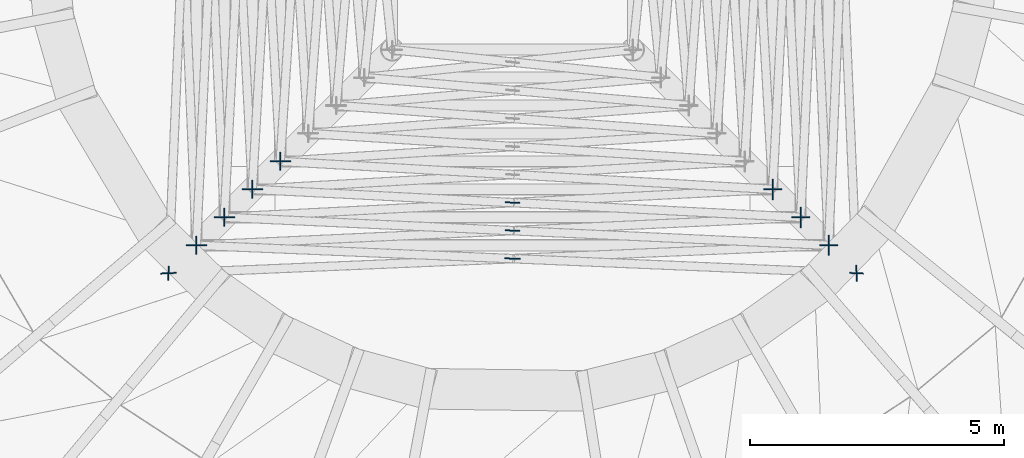
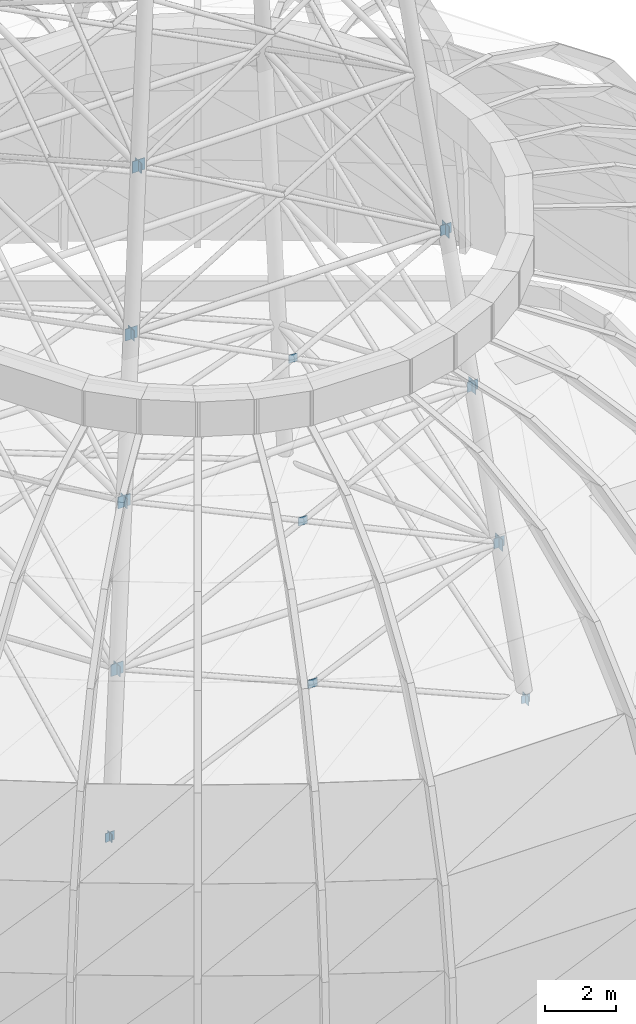
# One storey, part 7 of 27: 21 discrete accessories.
"""IFC4 building model written with IfcOpenShell, lengths in metres."""

from ifc_helpers import new_model, si_unit, direction, frame, origin, origin_2d, place, context, subcontext, project, spatial, rectangle, extrude, material, layer, layer_set, type_object, element, save


model = new_model("IFC4")

# Units and contexts
model_context = context("Model", 3, precision=1e-05, world=origin(), true_north=direction((0.0, 1.0)))
body_context = subcontext(model_context, "Body", "Model", "MODEL_VIEW")
ifc_project = project(units=[si_unit("LENGTHUNIT", "METRE"), si_unit("AREAUNIT", "SQUARE_METRE"), si_unit("VOLUMEUNIT", "CUBIC_METRE"), si_unit("PLANEANGLEUNIT", "RADIAN"), si_unit("MASSUNIT", "GRAM", prefix="KILO")], contexts=[model_context])

# Site, building, storey
site_placement = place(None, origin())
site = spatial("IfcSite", under=ifc_project, at=site_placement, CompositionType="ELEMENT")
building_placement = place(site_placement, origin())
building = spatial("IfcBuilding", under=site, at=building_placement, Name="Ayvan Gate Tower", CompositionType="ELEMENT")
storey_placement = place(building_placement, frame((0.0, 0.0, 267.699951171875)))
storey = spatial("IfcBuildingStorey", under=building, at=storey_placement, Name="Roof", CompositionType="ELEMENT", Elevation=267.699951171875)

# Discrete accessories
ifc_material = material(Name="Steel S460ML", Category="steel")
ifc_layer = layer(ifc_material, 0.02001953125)
ifc_layer_set = layer_set([ifc_layer], Name="Steel S460ML")
discrete_accessory_type = type_object("IfcDiscreteAccessoryType", Name="Gusset plate 20 mm", PredefinedType="BRACKET", material=ifc_layer_set)
discrete_accessory_1_placement = place(storey_placement, frame((-6.771484375, -6.771484375, -0.134765625), z_axis=(0.0, 0.0, 1.0), x_axis=(0.042308111772, 0.999104610978, 0.0)))
element("IfcDiscreteAccessory", 1, at=discrete_accessory_1_placement, inside=storey, type_object=discrete_accessory_type, Name="Gusset plate MAST BRACE 1-2B", PredefinedType="BRACKET", context=body_context, shape_type="SweptSolid", body=[
    extrude(rectangle(XDim=0.269287109375, YDim=0.02001953125, at=origin_2d()), origin(), (0.0, 0.0, 1.0), 0.269287109375),
])
discrete_accessory_2_placement = place(storey_placement, frame((-6.771484375, -6.771484375, -0.15478515625), z_axis=(0.0, 0.0, 1.0), x_axis=(0.999104610978, 0.042308111772, 0.0)))
element("IfcDiscreteAccessory", 2, at=discrete_accessory_2_placement, inside=storey, type_object=discrete_accessory_type, Name="Gusset plate MAST BRACE 1-3A", PredefinedType="BRACKET", context=body_context, shape_type="SweptSolid", body=[
    extrude(rectangle(XDim=0.309814453125, YDim=0.02001953125, at=origin_2d()), origin(), (0.0, 0.0, 1.0), 0.309814453125),
])
discrete_accessory_3_placement = place(storey_placement, frame((6.771484375, -6.771484375, -0.134765625), z_axis=(0.0, 0.0, 1.0), x_axis=(-0.999104610978, 0.042308111772, 0.0)))
element("IfcDiscreteAccessory", 3, at=discrete_accessory_3_placement, inside=storey, type_object=discrete_accessory_type, Name="Gusset plate MAST BRACE 1-3B", PredefinedType="BRACKET", context=body_context, shape_type="SweptSolid", body=[
    extrude(rectangle(XDim=0.269287109375, YDim=0.02001953125, at=origin_2d()), origin(), (0.0, 0.0, 1.0), 0.269287109375),
])
discrete_accessory_4_placement = place(storey_placement, frame((0.0, -6.484619140625, 2.593994140625), z_axis=(0.0, 0.0, 1.0), x_axis=(-0.999104610978, 0.042308111772, 0.0)))
element("IfcDiscreteAccessory", 4, at=discrete_accessory_4_placement, inside=storey, type_object=discrete_accessory_type, Name="Gusset plate MAST BRACE 1-3B", PredefinedType="BRACKET", context=body_context, shape_type="SweptSolid", body=[
    extrude(rectangle(XDim=0.3076171875, YDim=0.02001953125, at=origin_2d()), origin(), (0.0, 0.0, 1.0), 0.28466796875),
])
discrete_accessory_5_placement = place(storey_placement, frame((6.771484375, -6.771484375, -0.15478515625), z_axis=(0.0, 0.0, 1.0), x_axis=(-0.042308111772, 0.999104610978, 0.0)))
element("IfcDiscreteAccessory", 5, at=discrete_accessory_5_placement, inside=storey, type_object=discrete_accessory_type, Name="Gusset plate MAST BRACE 1-4A", PredefinedType="BRACKET", context=body_context, shape_type="SweptSolid", body=[
    extrude(rectangle(XDim=0.309814453125, YDim=0.02001953125, at=origin_2d()), origin(), (0.0, 0.0, 1.0), 0.309814453125),
])
discrete_accessory_6_placement = place(storey_placement, frame((0.0, -5.93359375, 7.8564453125), z_axis=(0.0, 0.0, 1.0), x_axis=(-0.99893157086, 0.046213815461, 0.0)))
element("IfcDiscreteAccessory", 6, at=discrete_accessory_6_placement, inside=storey, type_object=discrete_accessory_type, Name="Gusset plate MAST BRACE 2-3B", PredefinedType="BRACKET", context=body_context, shape_type="SweptSolid", body=[
    extrude(rectangle(XDim=0.2939453125, YDim=0.02001953125, at=origin_2d()), origin(), (0.0, 0.0, 1.0), 0.280029296875),
])
discrete_accessory_7_placement = place(storey_placement, frame((0.0, -5.382080078125, 13.121337890625), z_axis=(0.0, 0.0, 1.0), x_axis=(-0.998703058239, 0.050913666778, 0.0)))
element("IfcDiscreteAccessory", 7, at=discrete_accessory_7_placement, inside=storey, type_object=discrete_accessory_type, Name="Gusset plate MAST BRACE 3-3B", PredefinedType="BRACKET", context=body_context, shape_type="SweptSolid", body=[
    extrude(rectangle(XDim=0.28125, YDim=0.02001953125, at=origin_2d()), origin(), (0.0, 0.0, 1.0), 0.27490234375),
])
discrete_accessory_8_placement = place(storey_placement, frame((-6.22119140625, -6.22119140625, 5.07470703125), z_axis=(0.0, 0.0, 1.0), x_axis=(0.0, 1.0, 0.0)))
element("IfcDiscreteAccessory", 8, at=discrete_accessory_8_placement, inside=storey, type_object=discrete_accessory_type, Name="Gusset plate MAST RING 1-2", PredefinedType="BRACKET", context=body_context, shape_type="SweptSolid", body=[
    extrude(rectangle(XDim=0.3505859375, YDim=0.02001953125, at=origin_2d()), origin(), (0.0, 0.0, 1.0), 0.3505859375),
])
discrete_accessory_9_placement = place(storey_placement, frame((-6.22119140625, -6.22119140625, 5.04833984375), z_axis=(0.0, 0.0, 1.0), x_axis=(1.0, 0.0, 0.0)))
element("IfcDiscreteAccessory", 9, at=discrete_accessory_9_placement, inside=storey, type_object=discrete_accessory_type, Name="Gusset plate MAST RING 1-3", PredefinedType="BRACKET", context=body_context, shape_type="SweptSolid", body=[
    extrude(rectangle(XDim=0.403076171875, YDim=0.02001953125, at=origin_2d()), origin(), (0.0, 0.0, 1.0), 0.403076171875),
])
discrete_accessory_10_placement = place(storey_placement, frame((6.22119140625, -6.22119140625, 5.07470703125), z_axis=(0.0, 0.0, 1.0), x_axis=(1.0, 0.0, 0.0)))
element("IfcDiscreteAccessory", 10, at=discrete_accessory_10_placement, inside=storey, type_object=discrete_accessory_type, Name="Gusset plate MAST RING 1-3", PredefinedType="BRACKET", context=body_context, shape_type="SweptSolid", body=[
    extrude(rectangle(XDim=0.3505859375, YDim=0.02001953125, at=origin_2d()), origin(), (0.0, 0.0, 1.0), 0.3505859375),
])
discrete_accessory_11_placement = place(storey_placement, frame((6.22119140625, -6.22119140625, 5.04833984375), z_axis=(0.0, 0.0, 1.0), x_axis=(0.0, 1.0, 0.0)))
element("IfcDiscreteAccessory", 11, at=discrete_accessory_11_placement, inside=storey, type_object=discrete_accessory_type, Name="Gusset plate MAST RING 1-4", PredefinedType="BRACKET", context=body_context, shape_type="SweptSolid", body=[
    extrude(rectangle(XDim=0.403076171875, YDim=0.02001953125, at=origin_2d()), origin(), (0.0, 0.0, 1.0), 0.403076171875),
])
discrete_accessory_12_placement = place(storey_placement, frame((-5.671142578125, -5.671142578125, 10.32470703125), z_axis=(0.0, 0.0, 1.0), x_axis=(0.0, 1.0, 0.0)))
element("IfcDiscreteAccessory", 12, at=discrete_accessory_12_placement, inside=storey, type_object=discrete_accessory_type, Name="Gusset plate MAST RING 2-2", PredefinedType="BRACKET", context=body_context, shape_type="SweptSolid", body=[
    extrude(rectangle(XDim=0.3505859375, YDim=0.02001953125, at=origin_2d()), origin(), (0.0, 0.0, 1.0), 0.3505859375),
])
discrete_accessory_13_placement = place(storey_placement, frame((-5.671142578125, -5.671142578125, 10.29833984375), z_axis=(0.0, 0.0, 1.0), x_axis=(1.0, 0.0, 0.0)))
element("IfcDiscreteAccessory", 13, at=discrete_accessory_13_placement, inside=storey, type_object=discrete_accessory_type, Name="Gusset plate MAST RING 2-3", PredefinedType="BRACKET", context=body_context, shape_type="SweptSolid", body=[
    extrude(rectangle(XDim=0.403076171875, YDim=0.02001953125, at=origin_2d()), origin(), (0.0, 0.0, 1.0), 0.403076171875),
])
discrete_accessory_14_placement = place(storey_placement, frame((5.671142578125, -5.671142578125, 10.32470703125), z_axis=(0.0, 0.0, 1.0), x_axis=(1.0, 0.0, 0.0)))
element("IfcDiscreteAccessory", 14, at=discrete_accessory_14_placement, inside=storey, type_object=discrete_accessory_type, Name="Gusset plate MAST RING 2-3", PredefinedType="BRACKET", context=body_context, shape_type="SweptSolid", body=[
    extrude(rectangle(XDim=0.3505859375, YDim=0.02001953125, at=origin_2d()), origin(), (0.0, 0.0, 1.0), 0.3505859375),
])
discrete_accessory_15_placement = place(storey_placement, frame((5.671142578125, -5.671142578125, 10.29833984375), z_axis=(0.0, 0.0, 1.0), x_axis=(0.0, 1.0, 0.0)))
element("IfcDiscreteAccessory", 15, at=discrete_accessory_15_placement, inside=storey, type_object=discrete_accessory_type, Name="Gusset plate MAST RING 2-4", PredefinedType="BRACKET", context=body_context, shape_type="SweptSolid", body=[
    extrude(rectangle(XDim=0.403076171875, YDim=0.02001953125, at=origin_2d()), origin(), (0.0, 0.0, 1.0), 0.403076171875),
])
discrete_accessory_16_placement = place(storey_placement, frame((-5.120849609375, -5.120849609375, 15.57470703125), z_axis=(0.0, 0.0, 1.0), x_axis=(0.0, 1.0, 0.0)))
element("IfcDiscreteAccessory", 16, at=discrete_accessory_16_placement, inside=storey, type_object=discrete_accessory_type, Name="Gusset plate MAST RING 3-2", PredefinedType="BRACKET", context=body_context, shape_type="SweptSolid", body=[
    extrude(rectangle(XDim=0.3505859375, YDim=0.02001953125, at=origin_2d()), origin(), (0.0, 0.0, 1.0), 0.3505859375),
])
discrete_accessory_17_placement = place(storey_placement, frame((-5.120849609375, -5.120849609375, 15.54833984375), z_axis=(0.0, 0.0, 1.0), x_axis=(1.0, 0.0, 0.0)))
element("IfcDiscreteAccessory", 17, at=discrete_accessory_17_placement, inside=storey, type_object=discrete_accessory_type, Name="Gusset plate MAST RING 3-3", PredefinedType="BRACKET", context=body_context, shape_type="SweptSolid", body=[
    extrude(rectangle(XDim=0.403076171875, YDim=0.02001953125, at=origin_2d()), origin(), (0.0, 0.0, 1.0), 0.403076171875),
])
discrete_accessory_18_placement = place(storey_placement, frame((5.120849609375, -5.120849609375, 15.57470703125), z_axis=(0.0, 0.0, 1.0), x_axis=(1.0, 0.0, 0.0)))
element("IfcDiscreteAccessory", 18, at=discrete_accessory_18_placement, inside=storey, type_object=discrete_accessory_type, Name="Gusset plate MAST RING 3-3", PredefinedType="BRACKET", context=body_context, shape_type="SweptSolid", body=[
    extrude(rectangle(XDim=0.3505859375, YDim=0.02001953125, at=origin_2d()), origin(), (0.0, 0.0, 1.0), 0.3505859375),
])
discrete_accessory_19_placement = place(storey_placement, frame((5.120849609375, -5.120849609375, 15.54833984375), z_axis=(0.0, 0.0, 1.0), x_axis=(0.0, 1.0, 0.0)))
element("IfcDiscreteAccessory", 19, at=discrete_accessory_19_placement, inside=storey, type_object=discrete_accessory_type, Name="Gusset plate MAST RING 3-4", PredefinedType="BRACKET", context=body_context, shape_type="SweptSolid", body=[
    extrude(rectangle(XDim=0.403076171875, YDim=0.02001953125, at=origin_2d()), origin(), (0.0, 0.0, 1.0), 0.403076171875),
])
discrete_accessory_20_placement = place(storey_placement, frame((-4.57080078125, -4.57080078125, 20.82470703125), z_axis=(0.0, 0.0, 1.0), x_axis=(0.0, 1.0, 0.0)))
element("IfcDiscreteAccessory", 20, at=discrete_accessory_20_placement, inside=storey, type_object=discrete_accessory_type, Name="Gusset plate MAST RING 4-2", PredefinedType="BRACKET", context=body_context, shape_type="SweptSolid", body=[
    extrude(rectangle(XDim=0.3505859375, YDim=0.02001953125, at=origin_2d()), origin(), (0.0, 0.0, 1.0), 0.3505859375),
])
discrete_accessory_21_placement = place(storey_placement, frame((-4.57080078125, -4.57080078125, 20.79833984375), z_axis=(0.0, 0.0, 1.0), x_axis=(1.0, 0.0, 0.0)))
element("IfcDiscreteAccessory", 21, at=discrete_accessory_21_placement, inside=storey, type_object=discrete_accessory_type, Name="Gusset plate MAST RING 4-3", PredefinedType="BRACKET", context=body_context, shape_type="SweptSolid", body=[
    extrude(rectangle(XDim=0.403076171875, YDim=0.02001953125, at=origin_2d()), origin(), (0.0, 0.0, 1.0), 0.403076171875),
])

save(model, "model.ifc")
